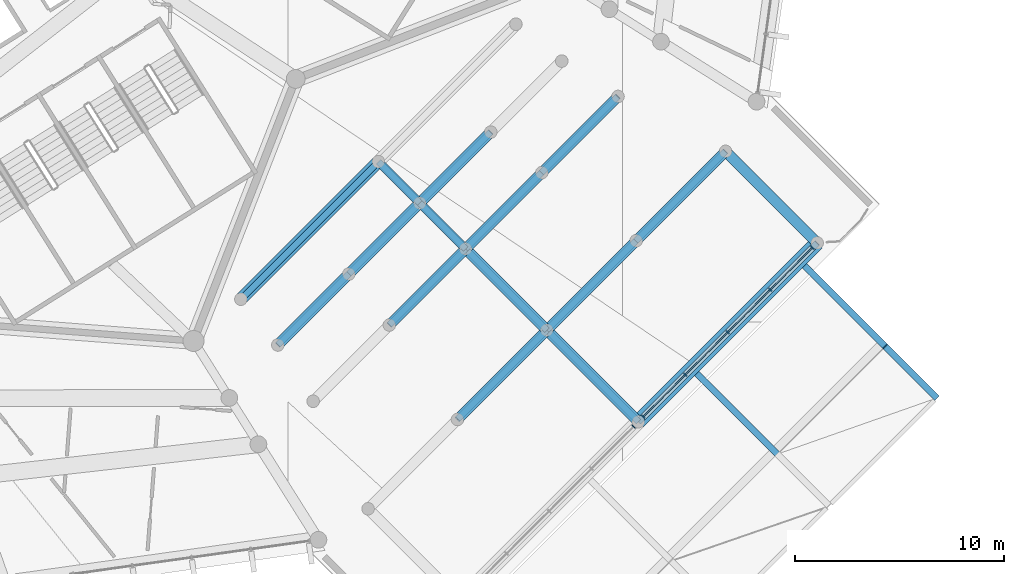
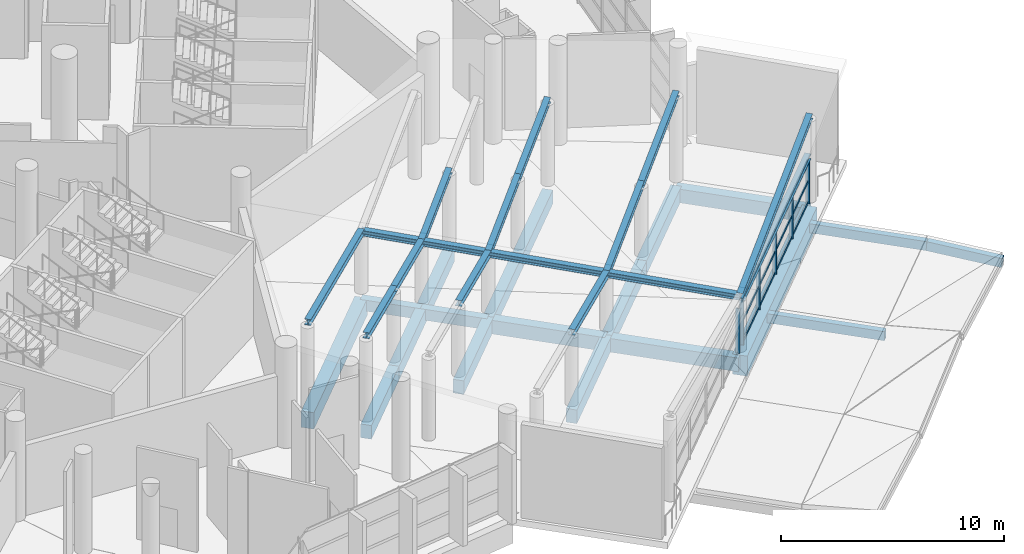
# One storey, part 51 of 271: 35 beams, 18 members, 2 elements without a shape of their own.
"""IFC4 building model written with IfcOpenShell, lengths in metres."""

from ifc_helpers import new_model, si_unit, direction, frame, origin, origin_2d, place, context, subcontext, project, spatial, rectangle, hollow_rectangle, i_section, extrude, material, layer, layer_set, material_profile, profile_set, type_object, element, aggregate, save


model = new_model("IFC4")

# Units and contexts
model_context = context("Model", 3, precision=1e-05, world=origin(), true_north=direction((0.0, 1.0)))
body_context = subcontext(model_context, "Body", "Model", "MODEL_VIEW")
ifc_project = project(units=[si_unit("LENGTHUNIT", "METRE"), si_unit("AREAUNIT", "SQUARE_METRE"), si_unit("VOLUMEUNIT", "CUBIC_METRE"), si_unit("PLANEANGLEUNIT", "RADIAN"), si_unit("MASSUNIT", "GRAM", prefix="KILO")], contexts=[model_context])

# Site, building, storey
site_placement = place(None, origin())
site = spatial("IfcSite", under=ifc_project, at=site_placement, CompositionType="ELEMENT")
building_placement = place(site_placement, origin())
building = spatial("IfcBuilding", under=site, at=building_placement, Name="Meseta Stadium", CompositionType="ELEMENT")
storey_placement = place(building_placement, frame((0.0, 0.0, 6.5)))
storey = spatial("IfcBuildingStorey", under=building, at=storey_placement, Name="L01", CompositionType="ELEMENT", Elevation=6.5)

# Beams
ifc_material_1 = material(Name="Steel S355", Category="steel")
ifc_material_profile_1 = material_profile(ifc_material_1, hollow_rectangle(XDim=0.300048828125, YDim=0.5, WallThickness=0.01611328125, at=origin_2d()), Name="RHS 500x300x16")
ifc_profile_set_1 = profile_set([ifc_material_profile_1], Name="Steel S355")
beam_type_1 = type_object("IfcBeamType", Name="Canopy girder RHS 500x300x16", PredefinedType="BEAM", material=ifc_profile_set_1)
beam_1_placement = place(storey_placement, frame((99.563232421875, -98.47216796875, -0.60009765625), z_axis=(0.707106781187, -0.707106781187, 0.0), x_axis=(0.707106781187, 0.707106781187, 0.0)))
element("IfcBeam", 1, at=beam_1_placement, inside=storey, type_object=beam_type_1, Name="Canopy girder back-span", PredefinedType="BEAM", context=body_context, shape_type="SweptSolid", body=[
    extrude(hollow_rectangle(XDim=0.300048828125, YDim=0.5, WallThickness=0.01611328125, at=origin_2d()), origin(), (0.0, 0.0, 1.0), 5.449951171875),
])
beam_2_placement = place(storey_placement, frame((104.72509765625, -93.310302734375, -0.60009765625), z_axis=(0.707129178183, -0.70708438348, 0.0), x_axis=(0.70708438348, 0.707129178183, 0.0)))
element("IfcBeam", 2, at=beam_2_placement, inside=storey, type_object=beam_type_1, Name="Canopy girder back-span", PredefinedType="BEAM", context=body_context, shape_type="SweptSolid", body=[
    extrude(hollow_rectangle(XDim=0.300048828125, YDim=0.5, WallThickness=0.01611328125, at=origin_2d()), origin(), (0.0, 0.0, 1.0), 5.4501953125),
])
beam_3_placement = place(storey_placement, frame((108.5791015625, -97.1640625, -0.60009765625), z_axis=(0.70449176828, -0.704561272204, -0.08535081802), x_axis=(0.707141659564, 0.707071901089, 0.0)))
element("IfcBeam", 3, at=beam_3_placement, inside=storey, type_object=beam_type_1, Name="Canopy girder cantilever", PredefinedType="BEAM", context=body_context, shape_type="SweptSolid", body=[
    extrude(hollow_rectangle(XDim=0.300048828125, YDim=0.5, WallThickness=0.01611328125, at=origin_2d()), origin(), (0.0, 0.0, 1.0), 3.5126953125),
])
ifc_material_2 = material(Name="Steel S355", Category="steel")
ifc_material_profile_2 = material_profile(ifc_material_2, i_section(OverallWidth=0.300048828125, OverallDepth=0.300048828125, WebThickness=0.010986328125, FlangeThickness=0.01904296875, FilletRadius=0.027099609375, at=origin_2d()), Name="HEB 300")
ifc_profile_set_2 = profile_set([ifc_material_profile_2], Name="Steel S355")
beam_type_2 = type_object("IfcBeamType", Name="Gate roof beam HEB 300", PredefinedType="BEAM", material=ifc_profile_set_2)
beam_4_placement = place(storey_placement, frame((84.3251953125, -88.3251953125, 3.256591796875), z_axis=(0.706964643903, -0.706964643903, -0.02004955217), x_axis=(0.707106781187, 0.707106781187, 0.0)))
element("IfcBeam", 4, at=beam_4_placement, inside=storey, type_object=beam_type_2, Name="Gate 8 valley beam", PredefinedType="BEAM", context=body_context, shape_type="SweptSolid", body=[
    extrude(i_section(OverallWidth=0.300048828125, OverallDepth=0.300048828125, WebThickness=0.010986328125, FlangeThickness=0.01904296875, FilletRadius=0.027099609375, at=origin_2d()), origin(), (0.0, 0.0, 1.0), 2.80078125),
])
beam_5_placement = place(storey_placement, frame((86.30517578125, -90.30517578125, 3.200439453125), z_axis=(0.7069653312, -0.7069653312, -0.020001024073), x_axis=(0.707106781187, 0.707106781187, 0.0)))
element("IfcBeam", 5, at=beam_5_placement, inside=storey, type_object=beam_type_2, Name="Gate 8 valley beam", PredefinedType="BEAM", context=body_context, shape_type="SweptSolid", body=[
    extrude(i_section(OverallWidth=0.300048828125, OverallDepth=0.300048828125, WebThickness=0.010986328125, FlangeThickness=0.01904296875, FilletRadius=0.027099609375, at=origin_2d()), origin(), (0.0, 0.0, 1.0), 3.100341796875),
])
beam_6_placement = place(storey_placement, frame((88.4970703125, -92.4970703125, 3.138427734375), z_axis=(0.706965758641, -0.706965758641, -0.019970784142), x_axis=(0.707106781187, 0.707106781187, 0.0)))
element("IfcBeam", 6, at=beam_6_placement, inside=storey, type_object=beam_type_2, Name="Gate 8 valley beam", PredefinedType="BEAM", context=body_context, shape_type="SweptSolid", body=[
    extrude(i_section(OverallWidth=0.300048828125, OverallDepth=0.300048828125, WebThickness=0.010986328125, FlangeThickness=0.01904296875, FilletRadius=0.027099609375, at=origin_2d()), origin(), (0.0, 0.0, 1.0), 5.501220703125),
])
beam_7_placement = place(storey_placement, frame((92.38623046875, -96.38623046875, 3.028564453125), z_axis=(0.706965346949, -0.706965346949, -0.019999910689), x_axis=(0.707106781187, 0.707106781187, 0.0)))
element("IfcBeam", 7, at=beam_7_placement, inside=storey, type_object=beam_type_2, Name="Gate 8 valley beam", PredefinedType="BEAM", context=body_context, shape_type="SweptSolid", body=[
    extrude(i_section(OverallWidth=0.300048828125, OverallDepth=0.300048828125, WebThickness=0.010986328125, FlangeThickness=0.01904296875, FilletRadius=0.027099609375, at=origin_2d()), origin(), (0.0, 0.0, 1.0), 6.201171875),
])
beam_8_placement = place(storey_placement, frame((96.982421875, -100.55810546875, 2.594482421875), z_axis=(0.707106781187, 0.707106781187, 0.0), x_axis=(-0.707106781187, 0.707106781187, 0.0)))
element("IfcBeam", 8, at=beam_8_placement, inside=storey, type_object=beam_type_2, Name="Gate 8 head beam", PredefinedType="BEAM", context=body_context, shape_type="SweptSolid", body=[
    extrude(i_section(OverallWidth=0.300048828125, OverallDepth=0.300048828125, WebThickness=0.010986328125, FlangeThickness=0.01904296875, FilletRadius=0.027099609375, at=origin_2d()), origin(), (0.0, 0.0, 1.0), 11.499755859375),
])
ifc_material_3 = material(Name="Steel S355", Category="steel")
ifc_material_profile_3 = material_profile(ifc_material_3, i_section(OverallWidth=0.300048828125, OverallDepth=0.300048828125, WebThickness=0.010986328125, FlangeThickness=0.01904296875, FilletRadius=0.027099609375, at=origin_2d()), Name="HEB 300")
ifc_profile_set_3 = profile_set([ifc_material_profile_3], Name="Steel S355")
beam_type_3 = type_object("IfcBeamType", Name="Gate roof beam HEB 300 rafter", PredefinedType="BEAM", material=ifc_profile_set_3)
beam_9_placement = place(storey_placement, frame((77.74169921875, -94.90869140625, 4.559814453125), z_axis=(0.700279874845, 0.700279874845, -0.138622486536), x_axis=(-0.707106781187, 0.707106781187, 0.0)))
element("IfcBeam", 9, at=beam_9_placement, inside=storey, type_object=beam_type_3, Name="Gate 8 roof rafter", PredefinedType="BEAM", context=body_context, shape_type="SweptSolid", body=[
    extrude(i_section(OverallWidth=0.300048828125, OverallDepth=0.300048828125, WebThickness=0.010986328125, FlangeThickness=0.01904296875, FilletRadius=0.027099609375, at=origin_2d()), origin(), (0.0, 0.0, 1.0), 9.401123046875),
])
beam_10_placement = place(storey_placement, frame((79.50927734375, -97.10107421875, 4.5458984375), z_axis=(0.700254767774, 0.700305084276, -0.138621964879), x_axis=(-0.707132184243, 0.707081377217, 0.0)))
element("IfcBeam", 10, at=beam_10_placement, inside=storey, type_object=beam_type_3, Name="Gate 8 roof rafter", PredefinedType="BEAM", context=body_context, shape_type="SweptSolid", body=[
    extrude(i_section(OverallWidth=0.300048828125, OverallDepth=0.300048828125, WebThickness=0.010986328125, FlangeThickness=0.01904296875, FilletRadius=0.027099609375, at=origin_2d()), origin(), (0.0, 0.0, 1.0), 4.85205078125),
])
for number, where, z_axis, x_axis, name in (
    (11, (82.906982421875, -93.703125, 3.873291015625), (0.700301164524, 0.700250851917, -0.138661542455), (-0.707081379043, 0.707132182418, 0.0), "Gate 8 roof rafter"),
    (12, (86.30517578125, -90.30517578125, 3.200439453125), (0.700250851917, 0.700301164524, 0.138661542455), (-0.707132182418, 0.707081379043, 0.0), "Gate 8 roof rafter"),
):
    element("IfcBeam", number, at=place(storey_placement, frame(where, z_axis=z_axis, x_axis=x_axis)), inside=storey, type_object=beam_type_3, Name=name, PredefinedType="BEAM", context=body_context, shape_type="SweptSolid", body=[
        extrude(i_section(OverallWidth=0.300048828125, OverallDepth=0.300048828125, WebThickness=0.010986328125, FlangeThickness=0.01904296875, FilletRadius=0.027099609375, at=origin_2d()), origin(), (0.0, 0.0, 1.0), 4.8525390625),
    ])
for number, where, z_axis, x_axis, name in (
    (13, (84.84912109375, -96.145263671875, 3.860595703125), (0.700256043323, 0.70030290827, -0.138626514265), (-0.707130441717, 0.707083119864, 0.0), "Gate 8 roof rafter"),
    (14, (88.4970703125, -92.4970703125, 3.138427734375), (0.70030290827, 0.700256043323, 0.138626514265), (-0.707083119864, 0.707130441717, 0.0), "Gate 8 roof rafter"),
):
    element("IfcBeam", number, at=place(storey_placement, frame(where, z_axis=z_axis, x_axis=x_axis)), inside=storey, type_object=beam_type_3, Name=name, PredefinedType="BEAM", context=body_context, shape_type="SweptSolid", body=[
        extrude(i_section(OverallWidth=0.300048828125, OverallDepth=0.300048828125, WebThickness=0.010986328125, FlangeThickness=0.01904296875, FilletRadius=0.027099609375, at=origin_2d()), origin(), (0.0, 0.0, 1.0), 5.20947265625),
    ])
beam_11_placement = place(storey_placement, frame((92.145263671875, -88.84912109375, 3.860595703125), z_axis=(0.700275376517, 0.700275376517, 0.138667927398), x_axis=(-0.707106781187, 0.707106781187, 0.0)))
element("IfcBeam", 15, at=beam_11_placement, inside=storey, type_object=beam_type_3, Name="Gate 8 roof rafter", PredefinedType="BEAM", context=body_context, shape_type="SweptSolid", body=[
    extrude(i_section(OverallWidth=0.300048828125, OverallDepth=0.300048828125, WebThickness=0.010986328125, FlangeThickness=0.01904296875, FilletRadius=0.027099609375, at=origin_2d()), origin(), (0.0, 0.0, 1.0), 5.209716796875),
])
for number, where, z_axis, x_axis, name in (
    (16, (88.108154296875, -100.664306640625, 3.87548828125), (0.700278827477, 0.700278827477, -0.138633068112), (-0.707106781187, 0.707106781187, 0.0), "Gate 8 roof rafter"),
    (17, (92.38623046875, -96.38623046875, 3.028564453125), (0.700278827477, 0.700278827477, 0.138633068112), (-0.707106781187, 0.707106781187, 0.0), "Gate 8 roof rafter"),
):
    element("IfcBeam", number, at=place(storey_placement, frame(where, z_axis=z_axis, x_axis=x_axis)), inside=storey, type_object=beam_type_3, Name=name, PredefinedType="BEAM", context=body_context, shape_type="SweptSolid", body=[
        extrude(i_section(OverallWidth=0.300048828125, OverallDepth=0.300048828125, WebThickness=0.010986328125, FlangeThickness=0.01904296875, FilletRadius=0.027099609375, at=origin_2d()), origin(), (0.0, 0.0, 1.0), 6.109130859375),
    ])
beam_12_placement = place(storey_placement, frame((96.664306640625, -92.108154296875, 3.87548828125), z_axis=(0.700258460887, 0.700298425415, 0.138636947884), x_axis=(-0.707126958008, 0.70708660379, 0.0)))
element("IfcBeam", 18, at=beam_12_placement, inside=storey, type_object=beam_type_3, Name="Gate 8 roof rafter", PredefinedType="BEAM", context=body_context, shape_type="SweptSolid", body=[
    extrude(i_section(OverallWidth=0.300048828125, OverallDepth=0.300048828125, WebThickness=0.010986328125, FlangeThickness=0.01904296875, FilletRadius=0.027099609375, at=origin_2d()), origin(), (0.0, 0.0, 1.0), 6.10888671875),
])
beam_13_placement = place(storey_placement, frame((96.770263671875, -100.770263671875, 2.904541015625), z_axis=(0.70028862638, 0.700268644396, 0.138635007985), x_axis=(-0.707096692704, 0.707116869525, 0.0)))
element("IfcBeam", 19, at=beam_13_placement, inside=storey, type_object=beam_type_3, Name="Gate 8 roof rafter", PredefinedType="BEAM", context=body_context, shape_type="SweptSolid", body=[
    extrude(i_section(OverallWidth=0.300048828125, OverallDepth=0.300048828125, WebThickness=0.010986328125, FlangeThickness=0.01904296875, FilletRadius=0.027099609375, at=origin_2d()), origin(), (0.0, 0.0, 1.0), 12.218017578125),
])
ifc_material_4 = material(Name="Concrete C40/50", Category="concrete")
ifc_material_profile_4 = material_profile(ifc_material_4, rectangle(XDim=0.39990234375, YDim=0.60009765625, at=origin_2d()), Name="RC 400x600")
ifc_profile_set_4 = profile_set([ifc_material_profile_4], Name="Concrete C40/50")
beam_type_4 = type_object("IfcBeamType", Name="RC beam 400x600", PredefinedType="BEAM", material=ifc_profile_set_4)
beam_14_placement = place(storey_placement, frame((84.3251953125, -88.3251953125, -0.64990234375), z_axis=(0.707106781187, -0.707106781187, 0.0), x_axis=(0.707106781187, 0.707106781187, 0.0)))
element("IfcBeam", 20, at=beam_14_placement, inside=storey, type_object=beam_type_4, Name="Gate 8 floor beam", PredefinedType="BEAM", context=body_context, shape_type="SweptSolid", body=[
    extrude(rectangle(XDim=0.39990234375, YDim=0.60009765625, at=origin_2d()), origin(), (0.0, 0.0, 1.0), 2.800048828125),
])
beam_15_placement = place(storey_placement, frame((86.30517578125, -90.30517578125, -0.64990234375), z_axis=(0.707106781187, -0.707106781187, 0.0), x_axis=(0.707106781187, 0.707106781187, 0.0)))
element("IfcBeam", 21, at=beam_15_placement, inside=storey, type_object=beam_type_4, Name="Gate 8 floor beam", PredefinedType="BEAM", context=body_context, shape_type="SweptSolid", body=[
    extrude(rectangle(XDim=0.39990234375, YDim=0.60009765625, at=origin_2d()), origin(), (0.0, 0.0, 1.0), 3.099853515625),
])
ifc_material_5 = material(Name="Concrete C40/50", Category="concrete")
ifc_material_profile_5 = material_profile(ifc_material_5, rectangle(XDim=0.5, YDim=0.75, at=origin_2d()), Name="RC 500x750")
ifc_profile_set_5 = profile_set([ifc_material_profile_5], Name="Concrete C40/50")
beam_type_5 = type_object("IfcBeamType", Name="RC beam 500x750", PredefinedType="BEAM", material=ifc_profile_set_5)
beam_16_placement = place(storey_placement, frame((79.50927734375, -97.10107421875, -0.72509765625), z_axis=(0.707081377217, 0.707132184243, 0.0), x_axis=(-0.707132184243, 0.707081377217, 0.0)))
element("IfcBeam", 22, at=beam_16_placement, inside=storey, type_object=beam_type_5, Name="Gate 8 floor beam", PredefinedType="BEAM", context=body_context, shape_type="SweptSolid", body=[
    extrude(rectangle(XDim=0.5, YDim=0.75, at=origin_2d()), origin(), (0.0, 0.0, 1.0), 4.80517578125),
])
for number, where, z_axis, x_axis, name in (
    (23, (82.906982421875, -93.703125, -0.72509765625), (0.707132182418, 0.707081379043, 0.0), (-0.707081379043, 0.707132182418, 0.0), "Gate 8 floor beam"),
    (24, (86.30517578125, -90.30517578125, -0.72509765625), (0.707081379043, 0.707132182418, 0.0), (-0.707132182418, 0.707081379043, 0.0), "Gate 8 floor beam"),
):
    element("IfcBeam", number, at=place(storey_placement, frame(where, z_axis=z_axis, x_axis=x_axis)), inside=storey, type_object=beam_type_5, Name=name, PredefinedType="BEAM", context=body_context, shape_type="SweptSolid", body=[
        extrude(rectangle(XDim=0.5, YDim=0.75, at=origin_2d()), origin(), (0.0, 0.0, 1.0), 4.8056640625),
    ])
for number, where, z_axis, x_axis, name in (
    (25, (84.84912109375, -96.145263671875, -0.72509765625), (0.707083119864, 0.707130441717, 0.0), (-0.707130441717, 0.707083119864, 0.0), "Gate 8 floor beam"),
    (26, (88.4970703125, -92.4970703125, -0.72509765625), (0.707130441717, 0.707083119864, 0.0), (-0.707083119864, 0.707130441717, 0.0), "Gate 8 floor beam"),
):
    element("IfcBeam", number, at=place(storey_placement, frame(where, z_axis=z_axis, x_axis=x_axis)), inside=storey, type_object=beam_type_5, Name=name, PredefinedType="BEAM", context=body_context, shape_type="SweptSolid", body=[
        extrude(rectangle(XDim=0.5, YDim=0.75, at=origin_2d()), origin(), (0.0, 0.0, 1.0), 5.1591796875),
    ])
beam_17_placement = place(storey_placement, frame((92.145263671875, -88.84912109375, -0.72509765625), z_axis=(0.707106781187, 0.707106781187, 0.0), x_axis=(-0.707106781187, 0.707106781187, 0.0)))
element("IfcBeam", 27, at=beam_17_placement, inside=storey, type_object=beam_type_5, Name="Gate 8 floor beam", PredefinedType="BEAM", context=body_context, shape_type="SweptSolid", body=[
    extrude(rectangle(XDim=0.5, YDim=0.75, at=origin_2d()), origin(), (0.0, 0.0, 1.0), 5.159423828125),
])
for number, where, z_axis, x_axis, name in (
    (28, (88.108154296875, -100.664306640625, -0.72509765625), (0.707106781187, 0.707106781187, 0.0), (-0.707106781187, 0.707106781187, 0.0), "Gate 8 floor beam"),
    (29, (92.38623046875, -96.38623046875, -0.72509765625), (0.707106781187, 0.707106781187, 0.0), (-0.707106781187, 0.707106781187, 0.0), "Gate 8 floor beam"),
    (30, (96.664306640625, -92.108154296875, -0.72509765625), (0.70708660379, 0.707126958008, 0.0), (-0.707126958008, 0.70708660379, 0.0), "Gate 8 floor beam"),
):
    element("IfcBeam", number, at=place(storey_placement, frame(where, z_axis=z_axis, x_axis=x_axis)), inside=storey, type_object=beam_type_5, Name=name, PredefinedType="BEAM", context=body_context, shape_type="SweptSolid", body=[
        extrude(rectangle(XDim=0.5, YDim=0.75, at=origin_2d()), origin(), (0.0, 0.0, 1.0), 6.050048828125),
    ])
beam_18_placement = place(storey_placement, frame((88.4970703125, -92.4970703125, -0.72509765625), z_axis=(0.707106781187, -0.707106781187, 0.0), x_axis=(0.707106781187, 0.707106781187, 0.0)))
element("IfcBeam", 31, at=beam_18_placement, inside=storey, type_object=beam_type_5, Name="Gate 8 floor beam", PredefinedType="BEAM", context=body_context, shape_type="SweptSolid", body=[
    extrude(rectangle(XDim=0.5, YDim=0.75, at=origin_2d()), origin(), (0.0, 0.0, 1.0), 5.5),
])
beam_19_placement = place(storey_placement, frame((92.38623046875, -96.38623046875, -0.72509765625), z_axis=(0.707106781187, -0.707106781187, 0.0), x_axis=(0.707106781187, 0.707106781187, 0.0)))
element("IfcBeam", 32, at=beam_19_placement, inside=storey, type_object=beam_type_5, Name="Gate 8 floor beam", PredefinedType="BEAM", context=body_context, shape_type="SweptSolid", body=[
    extrude(rectangle(XDim=0.5, YDim=0.75, at=origin_2d()), origin(), (0.0, 0.0, 1.0), 6.199951171875),
])
beam_20_placement = place(storey_placement, frame((100.942138671875, -87.830078125, -0.72509765625), z_axis=(0.707106781187, -0.707106781187, 0.0), x_axis=(0.707106781187, 0.707106781187, 0.0)))
element("IfcBeam", 33, at=beam_20_placement, inside=storey, type_object=beam_type_5, Name="Gate 8 floor beam", PredefinedType="BEAM", context=body_context, shape_type="SweptSolid", body=[
    extrude(rectangle(XDim=0.5, YDim=0.75, at=origin_2d()), origin(), (0.0, 0.0, 1.0), 6.2001953125),
])
ifc_material_6 = material(Name="Concrete C40/50", Category="concrete")
ifc_material_profile_6 = material_profile(ifc_material_6, rectangle(XDim=0.60009765625, YDim=0.89990234375, at=origin_2d()), Name="RC 600x900")
ifc_profile_set_6 = profile_set([ifc_material_profile_6], Name="Concrete C40/50")
beam_type_6 = type_object("IfcBeamType", Name="RC beam 600x900", PredefinedType="BEAM", material=ifc_profile_set_6)
beam_21_placement = place(storey_placement, frame((77.74169921875, -94.90869140625, -0.800048828125), z_axis=(0.707106781187, 0.707106781187, 0.0), x_axis=(-0.707106781187, 0.707106781187, 0.0)))
element("IfcBeam", 34, at=beam_21_placement, inside=storey, type_object=beam_type_6, Name="Gate 8 floor beam", PredefinedType="BEAM", context=body_context, shape_type="SweptSolid", body=[
    extrude(rectangle(XDim=0.60009765625, YDim=0.89990234375, at=origin_2d()), origin(), (0.0, 0.0, 1.0), 9.310546875),
])
ifc_material_7 = material(Name="Concrete C40/50", Category="concrete")
ifc_material_profile_7 = material_profile(ifc_material_7, rectangle(XDim=0.699951171875, YDim=1.10009765625, at=origin_2d()), Name="RC 700x1100")
ifc_profile_set_7 = profile_set([ifc_material_profile_7], Name="Concrete C40/50")
beam_type_7 = type_object("IfcBeamType", Name="RC beam 700x1100", PredefinedType="BEAM", material=ifc_profile_set_7)
beam_22_placement = place(storey_placement, frame((96.770263671875, -100.770263671875, -0.89990234375), z_axis=(0.707116869525, 0.707096692704, 0.0), x_axis=(-0.707096692704, 0.707116869525, 0.0)))
element("IfcBeam", 35, at=beam_22_placement, inside=storey, type_object=beam_type_7, Name="Gate 8 floor beam", PredefinedType="BEAM", context=body_context, shape_type="SweptSolid", body=[
    extrude(rectangle(XDim=0.699951171875, YDim=1.10009765625, at=origin_2d()), origin(), (0.0, 0.0, 1.0), 12.10009765625),
])

# Curtain wall, member
ifc_material_8 = material(Name="Aluminium", Category="aluminium")
ifc_layer = layer(ifc_material_8, 0.199951171875)
ifc_layer_set = layer_set([ifc_layer], Name="Gate hall curtain wall")
curtain_wall_type = type_object("IfcCurtainWallType", Name="Gate hall curtain wall", PredefinedType="NOTDEFINED", material=ifc_layer_set)
curtain_wall_1_placement = place(storey_placement, origin())
curtain_wall_1 = element("IfcCurtainWall", 36, at=curtain_wall_1_placement, inside=storey, type_object=curtain_wall_type, Name="Gate 8 hall glazing", PredefinedType="NOTDEFINED")
ifc_material_9 = material(Name="Aluminium", Category="aluminium")
ifc_material_profile_8 = material_profile(ifc_material_9, rectangle(XDim=0.199951171875, YDim=0.06005859375, at=origin_2d()), Name="CW 200x60")
ifc_profile_set_8 = profile_set([ifc_material_profile_8], Name="Aluminium")
member_type_1 = type_object("IfcMemberType", Name="Ring CW mullion 60x200", PredefinedType="MULLION", material=ifc_profile_set_8)
member_1_placement = place(storey_placement, frame((96.536865234375, -101.003662109375, 0.0), z_axis=(0.0, 0.0, 1.0), x_axis=(0.707106781187, -0.707106781187, 0.0)))
member_1 = element("IfcMember", 37, at=member_1_placement, type_object=member_type_1, Name="CWG1 mullion 1", PredefinedType="MULLION", context=body_context, shape_type="SweptSolid", body=[
    extrude(rectangle(XDim=0.199951171875, YDim=0.06005859375, at=origin_2d()), origin(), (0.0, 0.0, 1.0), 2.444580078125),
])
aggregate(curtain_wall_1, [member_1])

# Curtain wall, members
curtain_wall_2_placement = place(storey_placement, origin())
curtain_wall_2 = element("IfcCurtainWall", 38, at=curtain_wall_2_placement, inside=storey, type_object=curtain_wall_type, Name="Gate 8 hall glazing", PredefinedType="NOTDEFINED")
member_2_placement = place(storey_placement, frame((105.0927734375, -92.447509765625, 0.0), z_axis=(0.0, 0.0, 1.0), x_axis=(0.707106781187, -0.707106781187, 0.0)))
member_2 = element("IfcMember", 39, at=member_2_placement, type_object=member_type_1, Name="CWG1 mullion 1", PredefinedType="MULLION", context=body_context, shape_type="SweptSolid", body=[
    extrude(rectangle(XDim=0.199951171875, YDim=0.06005859375, at=origin_2d()), origin(), (0.0, 0.0, 1.0), 2.444580078125),
])
member_3_placement = place(storey_placement, frame((103.0810546875, -94.459228515625, 0.0), z_axis=(0.0, 0.0, 1.0), x_axis=(0.707106781187, -0.707106781187, 0.0)))
member_3 = element("IfcMember", 40, at=member_3_placement, type_object=member_type_1, Name="CWG1 mullion 2", PredefinedType="MULLION", context=body_context, shape_type="SweptSolid", body=[
    extrude(rectangle(XDim=0.199951171875, YDim=0.06005859375, at=origin_2d()), origin(), (0.0, 0.0, 1.0), 2.444580078125),
])
member_4_placement = place(storey_placement, frame((101.04833984375, -96.4921875, 0.0), z_axis=(0.0, 0.0, 1.0), x_axis=(0.707106781187, -0.707106781187, 0.0)))
member_4 = element("IfcMember", 41, at=member_4_placement, type_object=member_type_1, Name="CWG1 mullion 3", PredefinedType="MULLION", context=body_context, shape_type="SweptSolid", body=[
    extrude(rectangle(XDim=0.199951171875, YDim=0.06005859375, at=origin_2d()), origin(), (0.0, 0.0, 1.0), 2.444580078125),
])
member_5_placement = place(storey_placement, frame((99.015380859375, -98.525146484375, 0.0), z_axis=(0.0, 0.0, 1.0), x_axis=(0.707106781187, -0.707106781187, 0.0)))
member_5 = element("IfcMember", 42, at=member_5_placement, type_object=member_type_1, Name="CWG1 mullion 4", PredefinedType="MULLION", context=body_context, shape_type="SweptSolid", body=[
    extrude(rectangle(XDim=0.199951171875, YDim=0.06005859375, at=origin_2d()), origin(), (0.0, 0.0, 1.0), 2.444580078125),
])
member_6_placement = place(storey_placement, frame((97.003662109375, -100.536865234375, 0.0), z_axis=(0.0, 0.0, 1.0), x_axis=(0.707106781187, -0.707106781187, 0.0)))
member_6 = element("IfcMember", 43, at=member_6_placement, type_object=member_type_1, Name="CWG1 mullion 5", PredefinedType="MULLION", context=body_context, shape_type="SweptSolid", body=[
    extrude(rectangle(XDim=0.199951171875, YDim=0.06005859375, at=origin_2d()), origin(), (0.0, 0.0, 1.0), 2.444580078125),
])
ifc_material_10 = material(Name="Aluminium", Category="aluminium")
ifc_material_profile_9 = material_profile(ifc_material_10, rectangle(XDim=0.06005859375, YDim=0.14990234375, at=origin_2d()), Name="CW 60x150")
ifc_profile_set_9 = profile_set([ifc_material_profile_9], Name="Aluminium")
member_type_2 = type_object("IfcMemberType", Name="Ring CW transom 60x150", PredefinedType="USERDEFINED", material=ifc_profile_set_9)
member_7_placement = place(storey_placement, frame((105.07177734375, -92.46875, 0.074951171875), z_axis=(-0.707106781187, -0.707106781187, 0.0), x_axis=(0.707106781187, -0.707106781187, 0.0)))
member_7 = element("IfcMember", 44, at=member_7_placement, type_object=member_type_2, Name="CWG1 transom 1.1", ObjectType="TRANSOM", PredefinedType="USERDEFINED", context=body_context, shape_type="SweptSolid", body=[
    extrude(rectangle(XDim=0.06005859375, YDim=0.14990234375, at=origin_2d()), origin(), (0.0, 0.0, 1.0), 2.78515625),
])
member_8_placement = place(storey_placement, frame((105.07177734375, -92.46875, 1.22216796875), z_axis=(-0.707106781187, -0.707106781187, 0.0), x_axis=(0.707106781187, -0.707106781187, 0.0)))
member_8 = element("IfcMember", 45, at=member_8_placement, type_object=member_type_2, Name="CWG1 transom 1.2", ObjectType="TRANSOM", PredefinedType="USERDEFINED", context=body_context, shape_type="SweptSolid", body=[
    extrude(rectangle(XDim=0.06005859375, YDim=0.14990234375, at=origin_2d()), origin(), (0.0, 0.0, 1.0), 2.78515625),
])
member_9_placement = place(storey_placement, frame((105.07177734375, -92.46875, 2.369384765625), z_axis=(-0.707106781187, -0.707106781187, 0.0), x_axis=(0.707106781187, -0.707106781187, 0.0)))
member_9 = element("IfcMember", 46, at=member_9_placement, type_object=member_type_2, Name="CWG1 transom 1.3", ObjectType="TRANSOM", PredefinedType="USERDEFINED", context=body_context, shape_type="SweptSolid", body=[
    extrude(rectangle(XDim=0.06005859375, YDim=0.14990234375, at=origin_2d()), origin(), (0.0, 0.0, 1.0), 2.78515625),
])
member_10_placement = place(storey_placement, frame((103.06005859375, -94.48046875, 0.074951171875), z_axis=(-0.707106781187, -0.707106781187, 0.0), x_axis=(0.707106781187, -0.707106781187, 0.0)))
member_10 = element("IfcMember", 47, at=member_10_placement, type_object=member_type_2, Name="CWG1 transom 2.1", ObjectType="TRANSOM", PredefinedType="USERDEFINED", context=body_context, shape_type="SweptSolid", body=[
    extrude(rectangle(XDim=0.06005859375, YDim=0.14990234375, at=origin_2d()), origin(), (0.0, 0.0, 1.0), 2.81494140625),
])
member_11_placement = place(storey_placement, frame((103.06005859375, -94.48046875, 1.22216796875), z_axis=(-0.707106781187, -0.707106781187, 0.0), x_axis=(0.707106781187, -0.707106781187, 0.0)))
member_11 = element("IfcMember", 48, at=member_11_placement, type_object=member_type_2, Name="CWG1 transom 2.2", ObjectType="TRANSOM", PredefinedType="USERDEFINED", context=body_context, shape_type="SweptSolid", body=[
    extrude(rectangle(XDim=0.06005859375, YDim=0.14990234375, at=origin_2d()), origin(), (0.0, 0.0, 1.0), 2.81494140625),
])
member_12_placement = place(storey_placement, frame((103.06005859375, -94.48046875, 2.369384765625), z_axis=(-0.707106781187, -0.707106781187, 0.0), x_axis=(0.707106781187, -0.707106781187, 0.0)))
member_12 = element("IfcMember", 49, at=member_12_placement, type_object=member_type_2, Name="CWG1 transom 2.3", ObjectType="TRANSOM", PredefinedType="USERDEFINED", context=body_context, shape_type="SweptSolid", body=[
    extrude(rectangle(XDim=0.06005859375, YDim=0.14990234375, at=origin_2d()), origin(), (0.0, 0.0, 1.0), 2.81494140625),
])
member_13_placement = place(storey_placement, frame((101.027099609375, -96.513427734375, 0.074951171875), z_axis=(-0.707106781187, -0.707106781187, 0.0), x_axis=(0.707106781187, -0.707106781187, 0.0)))
member_13 = element("IfcMember", 50, at=member_13_placement, type_object=member_type_2, Name="CWG1 transom 3.1", ObjectType="TRANSOM", PredefinedType="USERDEFINED", context=body_context, shape_type="SweptSolid", body=[
    extrude(rectangle(XDim=0.06005859375, YDim=0.14990234375, at=origin_2d()), origin(), (0.0, 0.0, 1.0), 2.81494140625),
])
member_14_placement = place(storey_placement, frame((101.027099609375, -96.513427734375, 1.22216796875), z_axis=(-0.707106781187, -0.707106781187, 0.0), x_axis=(0.707106781187, -0.707106781187, 0.0)))
member_14 = element("IfcMember", 51, at=member_14_placement, type_object=member_type_2, Name="CWG1 transom 3.2", ObjectType="TRANSOM", PredefinedType="USERDEFINED", context=body_context, shape_type="SweptSolid", body=[
    extrude(rectangle(XDim=0.06005859375, YDim=0.14990234375, at=origin_2d()), origin(), (0.0, 0.0, 1.0), 2.81494140625),
])
member_15_placement = place(storey_placement, frame((101.027099609375, -96.513427734375, 2.369384765625), z_axis=(-0.707106781187, -0.707106781187, 0.0), x_axis=(0.707106781187, -0.707106781187, 0.0)))
member_15 = element("IfcMember", 52, at=member_15_placement, type_object=member_type_2, Name="CWG1 transom 3.3", ObjectType="TRANSOM", PredefinedType="USERDEFINED", context=body_context, shape_type="SweptSolid", body=[
    extrude(rectangle(XDim=0.06005859375, YDim=0.14990234375, at=origin_2d()), origin(), (0.0, 0.0, 1.0), 2.81494140625),
])
member_16_placement = place(storey_placement, frame((98.994140625, -98.54638671875, 0.074951171875), z_axis=(-0.707106781187, -0.707106781187, 0.0), x_axis=(0.707106781187, -0.707106781187, 0.0)))
member_16 = element("IfcMember", 53, at=member_16_placement, type_object=member_type_2, Name="CWG1 transom 4.1", ObjectType="TRANSOM", PredefinedType="USERDEFINED", context=body_context, shape_type="SweptSolid", body=[
    extrude(rectangle(XDim=0.06005859375, YDim=0.14990234375, at=origin_2d()), origin(), (0.0, 0.0, 1.0), 2.784912109375),
])
member_17_placement = place(storey_placement, frame((98.994140625, -98.54638671875, 1.22216796875), z_axis=(-0.707106781187, -0.707106781187, 0.0), x_axis=(0.707106781187, -0.707106781187, 0.0)))
member_17 = element("IfcMember", 54, at=member_17_placement, type_object=member_type_2, Name="CWG1 transom 4.2", ObjectType="TRANSOM", PredefinedType="USERDEFINED", context=body_context, shape_type="SweptSolid", body=[
    extrude(rectangle(XDim=0.06005859375, YDim=0.14990234375, at=origin_2d()), origin(), (0.0, 0.0, 1.0), 2.784912109375),
])
member_18_placement = place(storey_placement, frame((98.994140625, -98.54638671875, 2.369384765625), z_axis=(-0.707106781187, -0.707106781187, 0.0), x_axis=(0.707106781187, -0.707106781187, 0.0)))
member_18 = element("IfcMember", 55, at=member_18_placement, type_object=member_type_2, Name="CWG1 transom 4.3", ObjectType="TRANSOM", PredefinedType="USERDEFINED", context=body_context, shape_type="SweptSolid", body=[
    extrude(rectangle(XDim=0.06005859375, YDim=0.14990234375, at=origin_2d()), origin(), (0.0, 0.0, 1.0), 2.784912109375),
])
aggregate(curtain_wall_2, [member_2, member_3, member_4, member_5, member_6, member_7, member_8, member_9, member_10, member_11, member_12, member_13, member_14, member_15, member_16, member_17, member_18])

save(model, "model.ifc")
